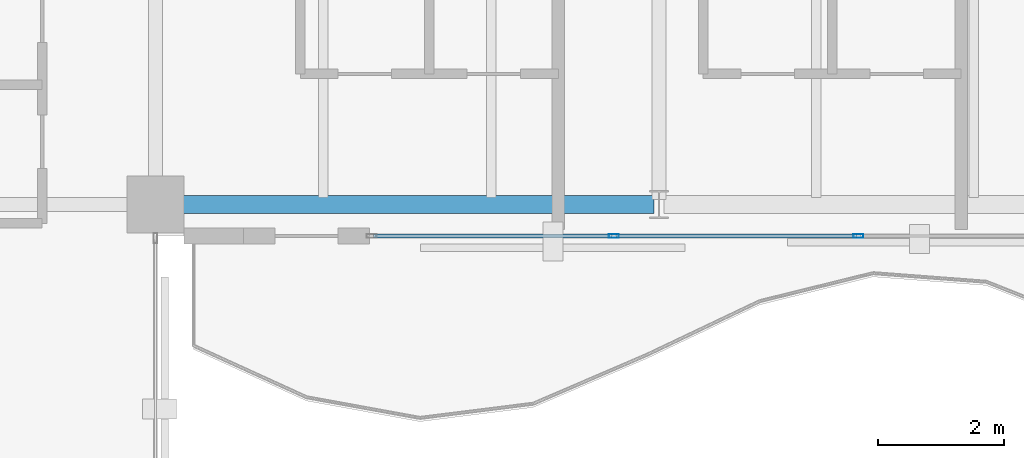
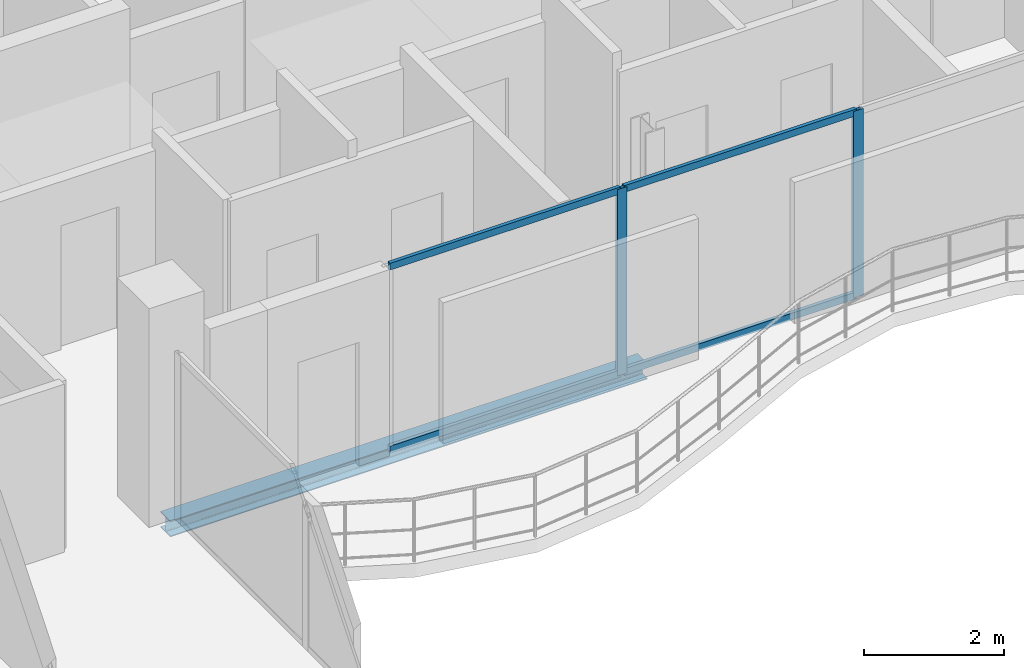
# One storey, part 9 of 24: 6 members, 1 beam, 1 element without a shape of its own.
"""IFC4 building model written with IfcOpenShell, lengths in metres."""

from ifc_helpers import new_model, si_unit, direction, frame, origin, origin_2d, place, context, subcontext, project, spatial, hollow_rectangle, i_section, extrude, material, layer, layer_set, material_profile, profile_set, type_object, element, aggregate, save


model = new_model("IFC4")

# Units and contexts
model_context = context("Model", 3, precision=1e-05, world=origin(), true_north=direction((0.0, 1.0)))
body_context = subcontext(model_context, "Body", "Model", "MODEL_VIEW")
ifc_project = project(units=[si_unit("LENGTHUNIT", "METRE"), si_unit("AREAUNIT", "SQUARE_METRE"), si_unit("VOLUMEUNIT", "CUBIC_METRE"), si_unit("PLANEANGLEUNIT", "RADIAN"), si_unit("MASSUNIT", "GRAM", prefix="KILO")], contexts=[model_context])

# Site, building, storey
site_placement = place(None, origin())
site = spatial("IfcSite", under=ifc_project, at=site_placement, CompositionType="ELEMENT")
building_placement = place(site_placement, origin())
building = spatial("IfcBuilding", under=site, at=building_placement, Name="Catumbela Crestline Tower", CompositionType="ELEMENT")
storey_placement = place(building_placement, frame((0.0, 0.0, 237.4)))
storey = spatial("IfcBuildingStorey", under=building, at=storey_placement, Name="L61", CompositionType="ELEMENT", Elevation=237.4)

# Curtain wall, members
ifc_material_1 = material(Name="Aluminium alloy AW-6060-T66", Category="aluminium")
ifc_layer = layer(ifc_material_1, 0.18, Name="Aluminium alloy AW-6060-T66")
ifc_layer_set = layer_set([ifc_layer], Name="Aluminium alloy AW-6060-T66")
curtain_wall_type = type_object("IfcCurtainWallType", Name="CWU-Z4", PredefinedType="USERDEFINED", material=ifc_layer_set)
curtain_wall_placement = place(storey_placement, origin())
curtain_wall = element("IfcCurtainWall", 1, at=curtain_wall_placement, inside=storey, type_object=curtain_wall_type, Name="L61 Unitised Curtain Wall CW-L61-E3S2", ObjectType="UNITISED", PredefinedType="USERDEFINED")
ifc_material_profile_1 = material_profile(ifc_material_1, hollow_rectangle(XDim=0.06, YDim=0.16, WallThickness=0.004, at=origin_2d()), Name="ALU 160x60x4")
ifc_profile_set_1 = profile_set([ifc_material_profile_1], Name="Aluminium alloy AW-6060-T66")
member_type_1 = type_object("IfcMemberType", Name="MUL-160X60", PredefinedType="MULLION", material=ifc_profile_set_1)
member_1_placement = place(storey_placement, frame((31.2833, 24.0, 0.0), z_axis=(0.0, 0.0, 1.0), x_axis=(0.0, 1.0, 0.0)))
member_1 = element("IfcMember", 2, at=member_1_placement, type_object=member_type_1, Name="CWU-Z4 mullion 2", PredefinedType="MULLION", context=body_context, shape_type="SweptSolid", body=[
    extrude(hollow_rectangle(XDim=0.06, YDim=0.16, WallThickness=0.004, at=origin_2d()), origin(), (0.0, 0.0, 1.0), 3.24),
])
member_2_placement = place(storey_placement, frame((35.1667, 24.0, 0.0), z_axis=(0.0, 0.0, 1.0), x_axis=(0.0, 1.0, 0.0)))
member_2 = element("IfcMember", 3, at=member_2_placement, type_object=member_type_1, Name="CWU-Z4 mullion 3", PredefinedType="MULLION", context=body_context, shape_type="SweptSolid", body=[
    extrude(hollow_rectangle(XDim=0.06, YDim=0.16, WallThickness=0.004, at=origin_2d()), origin(), (0.0, 0.0, 1.0), 3.24),
])

# Beam
ifc_material_2 = material(Name="Structural steel S355J2", Category="steel")
ifc_material_profile_2 = material_profile(ifc_material_2, i_section(OverallWidth=0.28, OverallDepth=0.28, WebThickness=0.0105, FlangeThickness=0.018, FilletRadius=0.024, at=origin_2d()), Name="HEB 280")
ifc_profile_set_2 = profile_set([ifc_material_profile_2], Name="Structural steel S355J2")
beam_type = type_object("IfcBeamType", Name="BS-HEB280", PredefinedType="SPANDREL", material=ifc_profile_set_2)
beam_placement = place(storey_placement, frame((24.08, 24.5, -0.4), z_axis=(1.0, 0.0, 0.0), x_axis=(0.0, 1.0, 0.0)))
element("IfcBeam", 4, at=beam_placement, inside=storey, type_object=beam_type, Name="L61 Spandrel SP-L61-S04", PredefinedType="SPANDREL", context=body_context, shape_type="SweptSolid", body=[
    extrude(i_section(OverallWidth=0.28, OverallDepth=0.28, WebThickness=0.0105, FlangeThickness=0.018, FilletRadius=0.024, at=origin_2d()), origin(), (0.0, 0.0, 1.0), 7.84),
])

# Member
ifc_material_profile_3 = material_profile(ifc_material_1, hollow_rectangle(XDim=0.06, YDim=0.12, WallThickness=0.0035, at=origin_2d()), Name="ALU 120x60x3.5")
ifc_profile_set_3 = profile_set([ifc_material_profile_3], Name="Aluminium alloy AW-6060-T66")
member_type_2 = type_object("IfcMemberType", Name="TRN-120X60", PredefinedType="USERDEFINED", material=ifc_profile_set_3)
member_3_placement = place(storey_placement, frame((27.465, 24.0, 0.03), z_axis=(1.0, 0.0, 0.0), x_axis=(0.0, 1.0, 0.0)))
member_3 = element("IfcMember", 5, at=member_3_placement, type_object=member_type_2, Name="CWU-Z4 transom 1.1", ObjectType="TRANSOM", PredefinedType="USERDEFINED", context=body_context, shape_type="SweptSolid", body=[
    extrude(hollow_rectangle(XDim=0.06, YDim=0.12, WallThickness=0.0035, at=origin_2d()), origin(), (0.0, 0.0, 1.0), 3.7858),
])

member_4_placement = place(storey_placement, frame((27.465, 24.0, 3.21), z_axis=(1.0, 0.0, 0.0), x_axis=(0.0, 1.0, 0.0)))
member_4 = element("IfcMember", 6, at=member_4_placement, type_object=member_type_2, Name="CWU-Z4 transom 1.2", ObjectType="TRANSOM", PredefinedType="USERDEFINED", context=body_context, shape_type="SweptSolid", body=[
    extrude(hollow_rectangle(XDim=0.06, YDim=0.12, WallThickness=0.0035, at=origin_2d()), origin(), (0.0, 0.0, 1.0), 3.7858),
])

member_5_placement = place(storey_placement, frame((31.3158, 24.0, 0.03), z_axis=(1.0, 0.0, 0.0), x_axis=(0.0, 1.0, 0.0)))
member_5 = element("IfcMember", 7, at=member_5_placement, type_object=member_type_2, Name="CWU-Z4 transom 2.1", ObjectType="TRANSOM", PredefinedType="USERDEFINED", context=body_context, shape_type="SweptSolid", body=[
    extrude(hollow_rectangle(XDim=0.06, YDim=0.12, WallThickness=0.0035, at=origin_2d()), origin(), (0.0, 0.0, 1.0), 3.8184),
])

member_6_placement = place(storey_placement, frame((31.3158, 24.0, 3.21), z_axis=(1.0, 0.0, 0.0), x_axis=(0.0, 1.0, 0.0)))
member_6 = element("IfcMember", 8, at=member_6_placement, type_object=member_type_2, Name="CWU-Z4 transom 2.2", ObjectType="TRANSOM", PredefinedType="USERDEFINED", context=body_context, shape_type="SweptSolid", body=[
    extrude(hollow_rectangle(XDim=0.06, YDim=0.12, WallThickness=0.0035, at=origin_2d()), origin(), (0.0, 0.0, 1.0), 3.8184),
])

aggregate(curtain_wall, [member_1, member_2, member_3, member_4, member_5, member_6])

save(model, "model.ifc")
